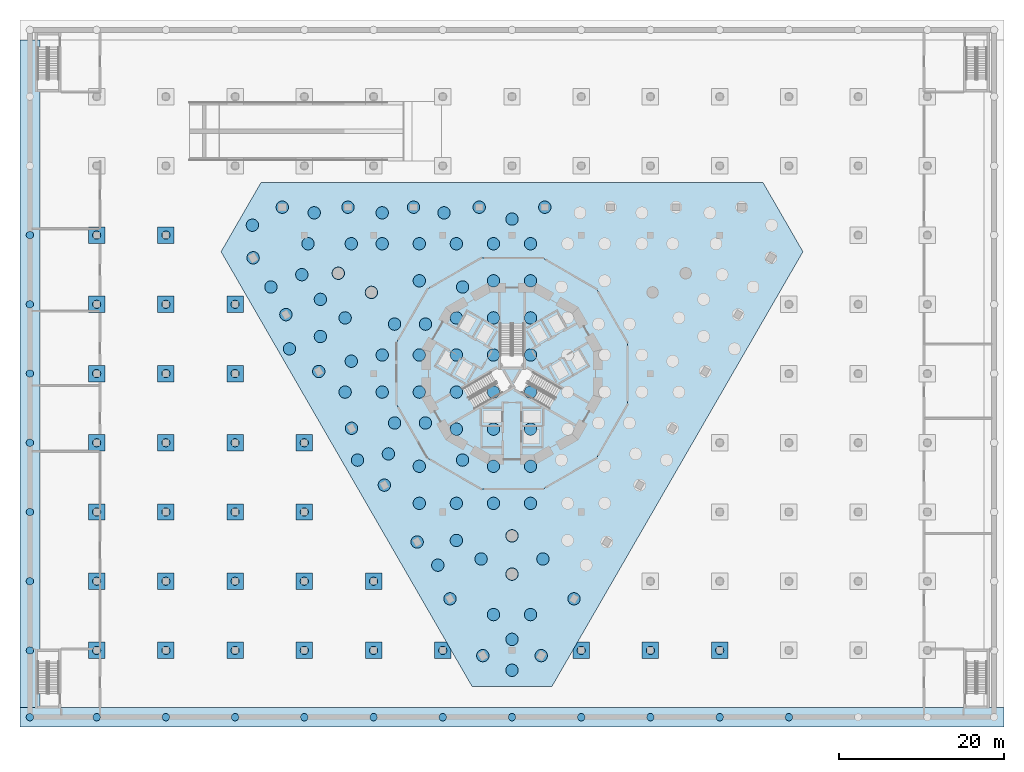
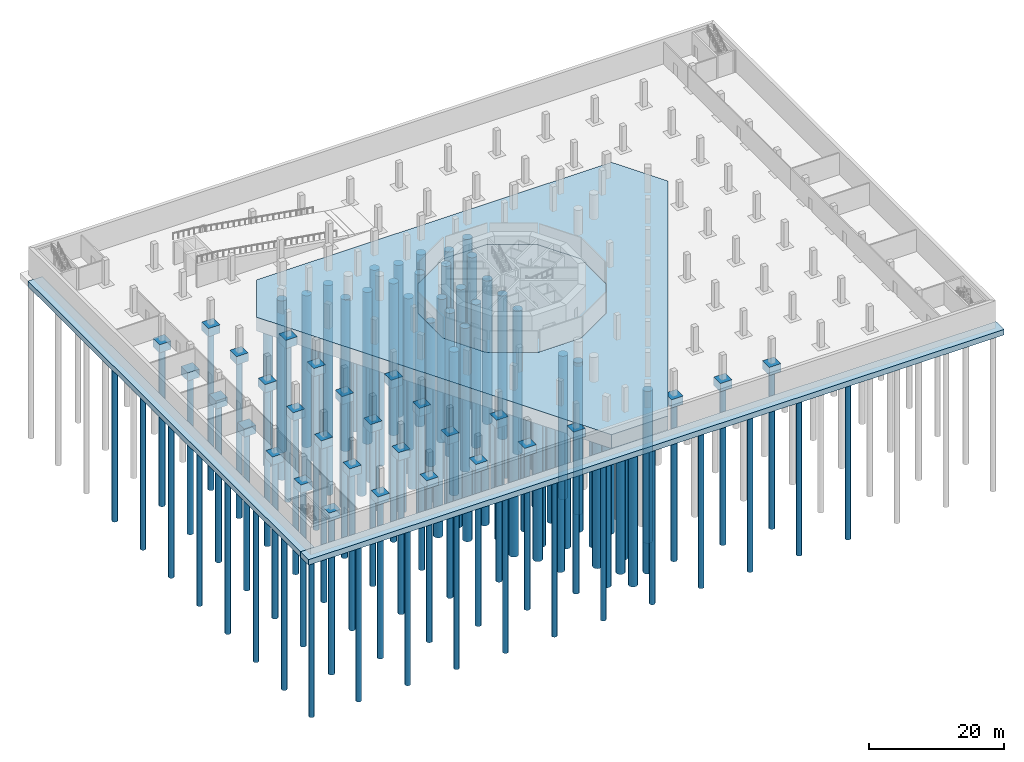
# One storey, part 1 of 23: 130 piles, 34 footings.
"""IFC4 building model written with IfcOpenShell, lengths in metres."""

from ifc_helpers import new_model, si_unit, direction, frame, origin, origin_2d, place, context, subcontext, project, spatial, polyline, circle, outline, extrude, material, layer, layer_set, type_object, element, save


model = new_model("IFC4")

# Units and contexts
model_context = context("Model", 3, precision=1e-05, world=origin(), true_north=direction((0.0, 1.0)))
body_context = subcontext(model_context, "Body", "Model", "MODEL_VIEW")
ifc_project = project(units=[si_unit("LENGTHUNIT", "METRE"), si_unit("AREAUNIT", "SQUARE_METRE"), si_unit("VOLUMEUNIT", "CUBIC_METRE"), si_unit("PLANEANGLEUNIT", "RADIAN"), si_unit("MASSUNIT", "GRAM", prefix="KILO")], contexts=[model_context])

# Site, building, storey
site_placement = place(None, origin())
site = spatial("IfcSite", under=ifc_project, at=site_placement, CompositionType="ELEMENT")
building_placement = place(site_placement, origin())
building = spatial("IfcBuilding", under=site, at=building_placement, Name="Trine Commons Tower", CompositionType="ELEMENT")
storey_placement = place(building_placement, frame((0.0, 0.0, -9.0)))
storey = spatial("IfcBuildingStorey", under=building, at=storey_placement, Name="B2", CompositionType="ELEMENT", Elevation=-9.0)

# Piles
ifc_material_1 = material(Name="Concrete C40/50", Category="concrete")
pile_type_1 = type_object("IfcPileType", Name="Bored pile 1000 mm, C40/50", PredefinedType="BORED", material=ifc_material_1)
for number, where, z_axis, x_axis, name in (
    (1, (29.60009765625, 28.89990234375, -1.425048828125), (0.0, 0.0, -1.0), (1.0, 0.0, 0.0), "Pile 132"),
    (2, (38.0, 28.89990234375, -1.425048828125), (0.0, 0.0, -1.0), (1.0, 0.0, 0.0), "Pile 133"),
    (3, (46.39990234375, 28.89990234375, -1.425048828125), (0.0, 0.0, -1.0), (1.0, 0.0, 0.0), "Pile 134"),
    (4, (54.800048828125, 28.89990234375, -1.425048828125), (0.0, 0.0, -1.0), (1.0, 0.0, 0.0), "Pile 135"),
    (5, (63.199951171875, 28.89990234375, -1.425048828125), (0.0, 0.0, -1.0), (1.0, 0.0, 0.0), "Pile 136"),
    (6, (71.60009765625, 28.89990234375, -1.425048828125), (0.0, 0.0, -1.0), (1.0, 0.0, 0.0), "Pile 137"),
    (7, (88.39990234375, 28.89990234375, -1.425048828125), (0.0, 0.0, -1.0), (1.0, 0.0, 0.0), "Pile 138"),
    (8, (96.800048828125, 28.89990234375, -1.425048828125), (0.0, 0.0, -1.0), (1.0, 0.0, 0.0), "Pile 139"),
    (9, (105.199951171875, 28.89990234375, -1.425048828125), (0.0, 0.0, -1.0), (1.0, 0.0, 0.0), "Pile 140"),
    (10, (29.60009765625, 37.300048828125, -1.425048828125), (0.0, 0.0, -1.0), (1.0, 0.0, 0.0), "Pile 144"),
    (11, (38.0, 37.300048828125, -1.425048828125), (0.0, 0.0, -1.0), (1.0, 0.0, 0.0), "Pile 145"),
    (12, (46.39990234375, 37.300048828125, -1.425048828125), (0.0, 0.0, -1.0), (1.0, 0.0, 0.0), "Pile 146"),
    (13, (54.800048828125, 37.300048828125, -1.425048828125), (0.0, 0.0, -1.0), (1.0, 0.0, 0.0), "Pile 147"),
    (14, (63.199951171875, 37.300048828125, -1.425048828125), (0.0, 0.0, -1.0), (1.0, 0.0, 0.0), "Pile 148"),
    (15, (29.60009765625, 45.699951171875, -1.425048828125), (0.0, 0.0, -1.0), (1.0, 0.0, 0.0), "Pile 154"),
    (16, (38.0, 45.699951171875, -1.425048828125), (0.0, 0.0, -1.0), (1.0, 0.0, 0.0), "Pile 155"),
    (17, (46.39990234375, 45.699951171875, -1.425048828125), (0.0, 0.0, -1.0), (1.0, 0.0, 0.0), "Pile 156"),
    (18, (54.800048828125, 45.699951171875, -1.425048828125), (0.0, 0.0, -1.0), (1.0, 0.0, 0.0), "Pile 157"),
    (19, (29.60009765625, 54.10009765625, -1.425048828125), (0.0, 0.0, -1.0), (1.0, 0.0, 0.0), "Pile 162"),
    (20, (38.0, 54.10009765625, -1.425048828125), (0.0, 0.0, -1.0), (1.0, 0.0, 0.0), "Pile 163"),
    (21, (46.39990234375, 54.10009765625, -1.425048828125), (0.0, 0.0, -1.0), (1.0, 0.0, 0.0), "Pile 164"),
    (22, (54.800048828125, 54.10009765625, -1.425048828125), (0.0, 0.0, -1.0), (1.0, 0.0, 0.0), "Pile 165"),
    (23, (29.60009765625, 62.5, -1.425048828125), (0.0, 0.0, -1.0), (1.0, 0.0, 0.0), "Pile 170"),
    (24, (38.0, 62.5, -1.425048828125), (0.0, 0.0, -1.0), (1.0, 0.0, 0.0), "Pile 171"),
    (25, (46.39990234375, 62.5, -1.425048828125), (0.0, 0.0, -1.0), (1.0, 0.0, 0.0), "Pile 172"),
    (26, (29.60009765625, 70.89990234375, -1.425048828125), (0.0, 0.0, -1.0), (1.0, 0.0, 0.0), "Pile 176"),
    (27, (38.0, 70.89990234375, -1.425048828125), (0.0, 0.0, -1.0), (1.0, 0.0, 0.0), "Pile 177"),
    (28, (46.39990234375, 70.89990234375, -1.425048828125), (0.0, 0.0, -1.0), (1.0, 0.0, 0.0), "Pile 178"),
    (29, (29.60009765625, 79.300048828125, -1.425048828125), (0.0, 0.0, -1.0), (1.0, 0.0, 0.0), "Pile 182"),
    (30, (38.0, 79.300048828125, -1.425048828125), (0.0, 0.0, -1.0), (1.0, 0.0, 0.0), "Pile 183"),
):
    element("IfcPile", number, at=place(storey_placement, frame(where, z_axis=z_axis, x_axis=x_axis)), inside=storey, type_object=pile_type_1, Name=name, PredefinedType="BORED", context=body_context, shape_type="SweptSolid", body=[
        extrude(circle(Radius=0.5, at=origin_2d()), origin(), (0.0, 0.0, 1.0), 28.574951171875),
    ])
pile_type_2 = type_object("IfcPileType", Name="Bored pile 1500 mm, C40/50", PredefinedType="BORED", material=ifc_material_1)
for number, where, z_axis, x_axis, name in (
    (31, (77.75, 51.25, -3.925048828125), (0.0, 0.0, -1.0), (1.0, 0.0, 0.0), "Pile 001"),
    (32, (82.25, 51.25, -3.925048828125), (0.0, 0.0, -1.0), (1.0, 0.0, 0.0), "Pile 002"),
    (33, (74.0, 52.0, -3.925048828125), (0.0, 0.0, -1.0), (1.0, 0.0, 0.0), "Pile 003"),
    (34, (73.25, 55.75, -3.925048828125), (0.0, 0.0, -1.0), (1.0, 0.0, 0.0), "Pile 005"),
    (35, (77.75, 55.75, -3.925048828125), (0.0, 0.0, -1.0), (1.0, 0.0, 0.0), "Pile 006"),
    (36, (82.25, 55.75, -3.925048828125), (0.0, 0.0, -1.0), (1.0, 0.0, 0.0), "Pile 007"),
    (37, (69.5, 56.5, -3.925048828125), (0.0, 0.0, -1.0), (1.0, 0.0, 0.0), "Pile 009"),
    (38, (68.75, 60.25, -3.925048828125), (0.0, 0.0, -1.0), (1.0, 0.0, 0.0), "Pile 011"),
    (39, (73.25, 60.25, -3.925048828125), (0.0, 0.0, -1.0), (1.0, 0.0, 0.0), "Pile 012"),
    (40, (77.75, 60.25, -3.925048828125), (0.0, 0.0, -1.0), (1.0, 0.0, 0.0), "Pile 013"),
    (41, (82.25, 60.25, -3.925048828125), (0.0, 0.0, -1.0), (1.0, 0.0, 0.0), "Pile 014"),
    (42, (68.75, 64.75, -3.925048828125), (0.0, 0.0, -1.0), (1.0, 0.0, 0.0), "Pile 017"),
    (43, (73.25, 64.75, -3.925048828125), (0.0, 0.0, -1.0), (1.0, 0.0, 0.0), "Pile 018"),
    (44, (77.75, 64.75, -3.925048828125), (0.0, 0.0, -1.0), (1.0, 0.0, 0.0), "Pile 019"),
    (45, (82.25, 64.75, -3.925048828125), (0.0, 0.0, -1.0), (1.0, 0.0, 0.0), "Pile 020"),
    (46, (69.5, 68.5, -3.925048828125), (0.0, 0.0, -1.0), (1.0, 0.0, 0.0), "Pile 023"),
    (47, (73.25, 69.25, -3.925048828125), (0.0, 0.0, -1.0), (1.0, 0.0, 0.0), "Pile 025"),
    (48, (77.75, 69.25, -3.925048828125), (0.0, 0.0, -1.0), (1.0, 0.0, 0.0), "Pile 026"),
    (49, (82.25, 69.25, -3.925048828125), (0.0, 0.0, -1.0), (1.0, 0.0, 0.0), "Pile 027"),
    (50, (74.0, 73.0, -3.925048828125), (0.0, 0.0, -1.0), (1.0, 0.0, 0.0), "Pile 029"),
    (51, (77.75, 73.75, -3.925048828125), (0.0, 0.0, -1.0), (1.0, 0.0, 0.0), "Pile 031"),
    (52, (82.25, 73.75, -3.925048828125), (0.0, 0.0, -1.0), (1.0, 0.0, 0.0), "Pile 032"),
):
    element("IfcPile", number, at=place(storey_placement, frame(where, z_axis=z_axis, x_axis=x_axis)), inside=storey, type_object=pile_type_2, Name=name, PredefinedType="BORED", context=body_context, shape_type="SweptSolid", body=[
        extrude(circle(Radius=0.75, at=origin_2d()), origin(), (0.0, 0.0, 1.0), 26.074951171875),
    ])
for number, where, z_axis, x_axis, name in (
    (53, (80.0, 26.5, -2.425048828125), (0.0, 0.0, -1.0), (1.0, 0.0, 0.0), "Pile 033"),
    (54, (76.45556640625, 28.27001953125, -2.425048828125), (0.0, 0.0, -1.0), (1.0, 0.0, 0.0), "Pile 034"),
    (55, (83.54443359375, 28.27001953125, -2.425048828125), (0.0, 0.0, -1.0), (1.0, 0.0, 0.0), "Pile 035"),
    (56, (80.0, 30.25, -2.425048828125), (0.0, 0.0, -1.0), (1.0, 0.0, 0.0), "Pile 036"),
    (57, (77.75, 33.25, -2.425048828125), (0.0, 0.0, -1.0), (1.0, 0.0, 0.0), "Pile 037"),
    (58, (82.25, 33.25, -2.425048828125), (0.0, 0.0, -1.0), (1.0, 0.0, 0.0), "Pile 038"),
    (59, (72.473876953125, 35.16650390625, -2.425048828125), (0.0, 0.0, -1.0), (1.0, 0.0, 0.0), "Pile 039"),
    (60, (87.526123046875, 35.16650390625, -2.425048828125), (0.0, 0.0, -1.0), (1.0, 0.0, 0.0), "Pile 040"),
    (61, (80.0, 38.162109375, -2.425048828125), (0.0, 0.0, -1.0), (1.0, 0.0, 0.0), "Pile 041"),
    (62, (71.0, 39.25, -2.425048828125), (0.0, 0.0, -1.0), (1.0, 0.0, 0.0), "Pile 042"),
    (63, (76.25, 40.0, -2.425048828125), (0.0, 0.0, -1.0), (1.0, 0.0, 0.0), "Pile 044"),
    (64, (83.75, 40.0, -2.425048828125), (0.0, 0.0, -1.0), (1.0, 0.0, 0.0), "Pile 045"),
    (65, (68.4921875, 42.06298828125, -2.425048828125), (0.0, 0.0, -1.0), (1.0, 0.0, 0.0), "Pile 046"),
    (66, (73.25, 42.25, -2.425048828125), (0.0, 0.0, -1.0), (1.0, 0.0, 0.0), "Pile 048"),
    (67, (80.0, 42.802978515625, -2.425048828125), (0.0, 0.0, -1.0), (1.0, 0.0, 0.0), "Pile 050"),
    (68, (68.75, 46.75, -2.425048828125), (0.0, 0.0, -1.0), (1.0, 0.0, 0.0), "Pile 051"),
    (69, (73.25, 46.75, -2.425048828125), (0.0, 0.0, -1.0), (1.0, 0.0, 0.0), "Pile 052"),
    (70, (77.75, 46.75, -2.425048828125), (0.0, 0.0, -1.0), (1.0, 0.0, 0.0), "Pile 053"),
    (71, (82.25, 46.75, -2.425048828125), (0.0, 0.0, -1.0), (1.0, 0.0, 0.0), "Pile 054"),
    (72, (64.510498046875, 48.95947265625, -2.425048828125), (0.0, 0.0, -1.0), (1.0, 0.0, 0.0), "Pile 057"),
    (73, (68.75, 51.25, -2.425048828125), (0.0, 0.0, -1.0), (1.0, 0.0, 0.0), "Pile 059"),
    (74, (61.25, 52.0, -2.425048828125), (0.0, 0.0, -1.0), (1.0, 0.0, 0.0), "Pile 061"),
    (75, (65.0, 52.75, -2.425048828125), (0.0, 0.0, -1.0), (1.0, 0.0, 0.0), "Pile 063"),
    (76, (60.52880859375, 55.85595703125, -2.425048828125), (0.0, 0.0, -1.0), (1.0, 0.0, 0.0), "Pile 065"),
    (77, (65.75, 56.5, -2.425048828125), (0.0, 0.0, -1.0), (1.0, 0.0, 0.0), "Pile 067"),
    (78, (59.75, 60.25, -2.425048828125), (0.0, 0.0, -1.0), (1.0, 0.0, 0.0), "Pile 069"),
    (79, (64.25, 60.25, -2.425048828125), (0.0, 0.0, -1.0), (1.0, 0.0, 0.0), "Pile 070"),
    (80, (56.547119140625, 62.75244140625, -2.425048828125), (0.0, 0.0, -1.0), (1.0, 0.0, 0.0), "Pile 073"),
    (81, (60.5, 64.0, -2.425048828125), (0.0, 0.0, -1.0), (1.0, 0.0, 0.0), "Pile 075"),
    (82, (64.25, 64.75, -2.425048828125), (0.0, 0.0, -1.0), (1.0, 0.0, 0.0), "Pile 077"),
    (83, (53.0, 65.5, -2.425048828125), (0.0, 0.0, -1.0), (1.0, 0.0, 0.0), "Pile 079"),
    (84, (56.75, 67.0, -2.425048828125), (0.0, 0.0, -1.0), (1.0, 0.0, 0.0), "Pile 081"),
    (85, (65.75, 68.5, -2.425048828125), (0.0, 0.0, -1.0), (1.0, 0.0, 0.0), "Pile 083"),
    (86, (59.75, 69.25, -2.425048828125), (0.0, 0.0, -1.0), (1.0, 0.0, 0.0), "Pile 085"),
    (87, (52.5654296875, 69.64892578125, -2.425048828125), (0.0, 0.0, -1.0), (1.0, 0.0, 0.0), "Pile 087"),
    (88, (56.75, 71.5, -2.425048828125), (0.0, 0.0, -1.0), (1.0, 0.0, 0.0), "Pile 089"),
    (89, (62.94189453125, 72.348388671875, -2.425048828125), (0.0, 0.0, -1.0), (1.0, 0.0, 0.0), "Pile 091"),
    (90, (50.75, 73.0, -2.425048828125), (0.0, 0.0, -1.0), (1.0, 0.0, 0.0), "Pile 093"),
    (91, (68.75, 73.75, -2.425048828125), (0.0, 0.0, -1.0), (1.0, 0.0, 0.0), "Pile 095"),
    (92, (54.5, 74.5, -2.425048828125), (0.0, 0.0, -1.0), (1.0, 0.0, 0.0), "Pile 097"),
    (93, (58.9228515625, 74.6689453125, -2.425048828125), (0.0, 0.0, -1.0), (1.0, 0.0, 0.0), "Pile 099"),
    (94, (48.583740234375, 76.54541015625, -2.425048828125), (0.0, 0.0, -1.0), (1.0, 0.0, 0.0), "Pile 101"),
    (95, (55.25, 78.25, -2.425048828125), (0.0, 0.0, -1.0), (1.0, 0.0, 0.0), "Pile 103"),
    (96, (60.5, 78.25, -2.425048828125), (0.0, 0.0, -1.0), (1.0, 0.0, 0.0), "Pile 104"),
    (97, (64.25, 78.25, -2.425048828125), (0.0, 0.0, -1.0), (1.0, 0.0, 0.0), "Pile 105"),
    (98, (68.75, 78.25, -2.425048828125), (0.0, 0.0, -1.0), (1.0, 0.0, 0.0), "Pile 106"),
    (99, (73.25, 78.25, -2.425048828125), (0.0, 0.0, -1.0), (1.0, 0.0, 0.0), "Pile 107"),
    (100, (77.75, 78.25, -2.425048828125), (0.0, 0.0, -1.0), (1.0, 0.0, 0.0), "Pile 108"),
    (101, (82.25, 78.25, -2.425048828125), (0.0, 0.0, -1.0), (1.0, 0.0, 0.0), "Pile 109"),
    (102, (48.5, 80.5, -2.425048828125), (0.0, 0.0, -1.0), (1.0, 0.0, 0.0), "Pile 115"),
    (103, (80.0, 81.25, -2.425048828125), (0.0, 0.0, -1.0), (1.0, 0.0, 0.0), "Pile 117"),
    (104, (56.0, 82.0, -2.425048828125), (0.0, 0.0, -1.0), (1.0, 0.0, 0.0), "Pile 118"),
    (105, (64.25, 82.0, -2.425048828125), (0.0, 0.0, -1.0), (1.0, 0.0, 0.0), "Pile 119"),
    (106, (71.75, 82.0, -2.425048828125), (0.0, 0.0, -1.0), (1.0, 0.0, 0.0), "Pile 120"),
    (107, (52.128173828125, 82.6845703125, -2.425048828125), (0.0, 0.0, -1.0), (1.0, 0.0, 0.0), "Pile 124"),
    (108, (60.091552734375, 82.6845703125, -2.425048828125), (0.0, 0.0, -1.0), (1.0, 0.0, 0.0), "Pile 125"),
    (109, (68.054931640625, 82.6845703125, -2.425048828125), (0.0, 0.0, -1.0), (1.0, 0.0, 0.0), "Pile 126"),
    (110, (76.018310546875, 82.6845703125, -2.425048828125), (0.0, 0.0, -1.0), (1.0, 0.0, 0.0), "Pile 127"),
    (111, (83.981689453125, 82.6845703125, -2.425048828125), (0.0, 0.0, -1.0), (1.0, 0.0, 0.0), "Pile 128"),
):
    element("IfcPile", number, at=place(storey_placement, frame(where, z_axis=z_axis, x_axis=x_axis)), inside=storey, type_object=pile_type_2, Name=name, PredefinedType="BORED", context=body_context, shape_type="SweptSolid", body=[
        extrude(circle(Radius=0.75, at=origin_2d()), origin(), (0.0, 0.0, 1.0), 27.574951171875),
    ])
pile_type_3 = type_object("IfcPileType", Name="Bored pile 900 mm, C40/50", PredefinedType="BORED", material=ifc_material_1)
for number, where, z_axis, x_axis, name in (
    (112, (21.5, 20.800048828125, -1.425048828125), (0.0, 0.0, -1.0), (1.0, 0.0, 0.0), "Pile 212"),
    (113, (29.60009765625, 20.800048828125, -1.425048828125), (0.0, 0.0, -1.0), (1.0, 0.0, 0.0), "Pile 213"),
    (114, (38.0, 20.800048828125, -1.425048828125), (0.0, 0.0, -1.0), (1.0, 0.0, 0.0), "Pile 214"),
    (115, (46.39990234375, 20.800048828125, -1.425048828125), (0.0, 0.0, -1.0), (1.0, 0.0, 0.0), "Pile 215"),
    (116, (54.800048828125, 20.800048828125, -1.425048828125), (0.0, 0.0, -1.0), (1.0, 0.0, 0.0), "Pile 216"),
    (117, (63.199951171875, 20.800048828125, -1.425048828125), (0.0, 0.0, -1.0), (1.0, 0.0, 0.0), "Pile 217"),
    (118, (71.60009765625, 20.800048828125, -1.425048828125), (0.0, 0.0, -1.0), (1.0, 0.0, 0.0), "Pile 218"),
    (119, (80.0, 20.800048828125, -1.425048828125), (0.0, 0.0, -1.0), (1.0, 0.0, 0.0), "Pile 219"),
    (120, (88.39990234375, 20.800048828125, -1.425048828125), (0.0, 0.0, -1.0), (1.0, 0.0, 0.0), "Pile 220"),
    (121, (96.800048828125, 20.800048828125, -1.425048828125), (0.0, 0.0, -1.0), (1.0, 0.0, 0.0), "Pile 221"),
    (122, (105.199951171875, 20.800048828125, -1.425048828125), (0.0, 0.0, -1.0), (1.0, 0.0, 0.0), "Pile 222"),
    (123, (113.60009765625, 20.800048828125, -1.425048828125), (0.0, 0.0, -1.0), (1.0, 0.0, 0.0), "Pile 223"),
    (124, (21.5, 28.89990234375, -1.425048828125), (0.0, 0.0, -1.0), (1.0, 0.0, 0.0), "Pile 227"),
    (125, (21.5, 37.300048828125, -1.425048828125), (0.0, 0.0, -1.0), (1.0, 0.0, 0.0), "Pile 229"),
    (126, (21.5, 45.699951171875, -1.425048828125), (0.0, 0.0, -1.0), (1.0, 0.0, 0.0), "Pile 231"),
    (127, (21.5, 54.10009765625, -1.425048828125), (0.0, 0.0, -1.0), (1.0, 0.0, 0.0), "Pile 233"),
    (128, (21.5, 62.5, -1.425048828125), (0.0, 0.0, -1.0), (1.0, 0.0, 0.0), "Pile 235"),
    (129, (21.5, 70.89990234375, -1.425048828125), (0.0, 0.0, -1.0), (1.0, 0.0, 0.0), "Pile 237"),
    (130, (21.5, 79.300048828125, -1.425048828125), (0.0, 0.0, -1.0), (1.0, 0.0, 0.0), "Pile 239"),
):
    element("IfcPile", number, at=place(storey_placement, frame(where, z_axis=z_axis, x_axis=x_axis)), inside=storey, type_object=pile_type_3, Name=name, PredefinedType="BORED", context=body_context, shape_type="SweptSolid", body=[
        extrude(circle(Radius=0.449951171875, at=origin_2d()), origin(), (0.0, 0.0, 1.0), 28.574951171875),
    ])

# Footings
ifc_material_2 = material(Name="Concrete C50/60", Category="concrete")
ifc_layer_1 = layer(ifc_material_2, 1.5)
ifc_layer_set_1 = layer_set([ifc_layer_1], Name="Concrete C50/60")
footing_type_1 = type_object("IfcFootingType", Name="Pile cap 1500 mm, C50/60", PredefinedType="PILE_CAP", material=ifc_layer_set_1)
footing_1_placement = place(storey_placement, frame((0.0, 0.0, -1.5)))
element("IfcFooting", 131, at=footing_1_placement, inside=storey, type_object=footing_type_1, Name="Pile cap BC-01", PredefinedType="PILE_CAP", context=body_context, shape_type="SweptSolid", body=[
    extrude(outline(polyline([(28.60009765625, 27.89990234375), (28.60009765625, 29.89990234375), (30.60009765625, 29.89990234375), (30.60009765625, 27.89990234375), (28.60009765625, 27.89990234375)])), origin(), (0.0, 0.0, 1.0), 1.5),
])
footing_2_placement = place(storey_placement, frame((0.0, 0.0, -1.5)))
element("IfcFooting", 132, at=footing_2_placement, inside=storey, type_object=footing_type_1, Name="Pile cap BC-02", PredefinedType="PILE_CAP", context=body_context, shape_type="SweptSolid", body=[
    extrude(outline(polyline([(37.0, 27.89990234375), (37.0, 29.89990234375), (39.0, 29.89990234375), (39.0, 27.89990234375), (37.0, 27.89990234375)])), origin(), (0.0, 0.0, 1.0), 1.5),
])
footing_3_placement = place(storey_placement, frame((0.0, 0.0, -1.5)))
element("IfcFooting", 133, at=footing_3_placement, inside=storey, type_object=footing_type_1, Name="Pile cap BC-03", PredefinedType="PILE_CAP", context=body_context, shape_type="SweptSolid", body=[
    extrude(outline(polyline([(45.39990234375, 27.89990234375), (45.39990234375, 29.89990234375), (47.39990234375, 29.89990234375), (47.39990234375, 27.89990234375), (45.39990234375, 27.89990234375)])), origin(), (0.0, 0.0, 1.0), 1.5),
])
footing_4_placement = place(storey_placement, frame((0.0, 0.0, -1.5)))
element("IfcFooting", 134, at=footing_4_placement, inside=storey, type_object=footing_type_1, Name="Pile cap BC-04", PredefinedType="PILE_CAP", context=body_context, shape_type="SweptSolid", body=[
    extrude(outline(polyline([(53.800048828125, 27.89990234375), (53.800048828125, 29.89990234375), (55.800048828125, 29.89990234375), (55.800048828125, 27.89990234375), (53.800048828125, 27.89990234375)])), origin(), (0.0, 0.0, 1.0), 1.5),
])
footing_5_placement = place(storey_placement, frame((0.0, 0.0, -1.5)))
element("IfcFooting", 135, at=footing_5_placement, inside=storey, type_object=footing_type_1, Name="Pile cap BC-05", PredefinedType="PILE_CAP", context=body_context, shape_type="SweptSolid", body=[
    extrude(outline(polyline([(62.199951171875, 27.89990234375), (62.199951171875, 29.89990234375), (64.199951171875, 29.89990234375), (64.199951171875, 27.89990234375), (62.199951171875, 27.89990234375)])), origin(), (0.0, 0.0, 1.0), 1.5),
])
footing_6_placement = place(storey_placement, frame((0.0, 0.0, -1.5)))
element("IfcFooting", 136, at=footing_6_placement, inside=storey, type_object=footing_type_1, Name="Pile cap BC-06", PredefinedType="PILE_CAP", context=body_context, shape_type="SweptSolid", body=[
    extrude(outline(polyline([(72.60009765625, 27.89990234375), (70.60009765625, 27.89990234375), (70.60009765625, 29.89990234375), (72.05029296875, 29.89990234375), (72.60009765625, 28.947998046875), (72.60009765625, 27.89990234375)])), origin(), (0.0, 0.0, 1.0), 1.5),
])
footing_7_placement = place(storey_placement, frame((0.0, 0.0, -1.5)))
element("IfcFooting", 137, at=footing_7_placement, inside=storey, type_object=footing_type_1, Name="Pile cap BC-08", PredefinedType="PILE_CAP", context=body_context, shape_type="SweptSolid", body=[
    extrude(outline(polyline([(89.39990234375, 29.89990234375), (89.39990234375, 27.89990234375), (87.39990234375, 27.89990234375), (87.39990234375, 28.947998046875), (87.94970703125, 29.89990234375), (89.39990234375, 29.89990234375)])), origin(), (0.0, 0.0, 1.0), 1.5),
])
footing_8_placement = place(storey_placement, frame((0.0, 0.0, -1.5)))
element("IfcFooting", 138, at=footing_8_placement, inside=storey, type_object=footing_type_1, Name="Pile cap BC-09", PredefinedType="PILE_CAP", context=body_context, shape_type="SweptSolid", body=[
    extrude(outline(polyline([(95.800048828125, 27.89990234375), (95.800048828125, 29.89990234375), (97.800048828125, 29.89990234375), (97.800048828125, 27.89990234375), (95.800048828125, 27.89990234375)])), origin(), (0.0, 0.0, 1.0), 1.5),
])
footing_9_placement = place(storey_placement, frame((0.0, 0.0, -1.5)))
element("IfcFooting", 139, at=footing_9_placement, inside=storey, type_object=footing_type_1, Name="Pile cap BC-10", PredefinedType="PILE_CAP", context=body_context, shape_type="SweptSolid", body=[
    extrude(outline(polyline([(104.199951171875, 27.89990234375), (104.199951171875, 29.89990234375), (106.199951171875, 29.89990234375), (106.199951171875, 27.89990234375), (104.199951171875, 27.89990234375)])), origin(), (0.0, 0.0, 1.0), 1.5),
])
footing_10_placement = place(storey_placement, frame((0.0, 0.0, -1.5)))
element("IfcFooting", 140, at=footing_10_placement, inside=storey, type_object=footing_type_1, Name="Pile cap BC-14", PredefinedType="PILE_CAP", context=body_context, shape_type="SweptSolid", body=[
    extrude(outline(polyline([(28.60009765625, 36.300048828125), (28.60009765625, 38.300048828125), (30.60009765625, 38.300048828125), (30.60009765625, 36.300048828125), (28.60009765625, 36.300048828125)])), origin(), (0.0, 0.0, 1.0), 1.5),
])
footing_11_placement = place(storey_placement, frame((0.0, 0.0, -1.5)))
element("IfcFooting", 141, at=footing_11_placement, inside=storey, type_object=footing_type_1, Name="Pile cap BC-15", PredefinedType="PILE_CAP", context=body_context, shape_type="SweptSolid", body=[
    extrude(outline(polyline([(37.0, 36.300048828125), (37.0, 38.300048828125), (39.0, 38.300048828125), (39.0, 36.300048828125), (37.0, 36.300048828125)])), origin(), (0.0, 0.0, 1.0), 1.5),
])
footing_12_placement = place(storey_placement, frame((0.0, 0.0, -1.5)))
element("IfcFooting", 142, at=footing_12_placement, inside=storey, type_object=footing_type_1, Name="Pile cap BC-16", PredefinedType="PILE_CAP", context=body_context, shape_type="SweptSolid", body=[
    extrude(outline(polyline([(45.39990234375, 36.300048828125), (45.39990234375, 38.300048828125), (47.39990234375, 38.300048828125), (47.39990234375, 36.300048828125), (45.39990234375, 36.300048828125)])), origin(), (0.0, 0.0, 1.0), 1.5),
])
footing_13_placement = place(storey_placement, frame((0.0, 0.0, -1.5)))
element("IfcFooting", 143, at=footing_13_placement, inside=storey, type_object=footing_type_1, Name="Pile cap BC-17", PredefinedType="PILE_CAP", context=body_context, shape_type="SweptSolid", body=[
    extrude(outline(polyline([(53.800048828125, 36.300048828125), (53.800048828125, 38.300048828125), (55.800048828125, 38.300048828125), (55.800048828125, 36.300048828125), (53.800048828125, 36.300048828125)])), origin(), (0.0, 0.0, 1.0), 1.5),
])
footing_14_placement = place(storey_placement, frame((0.0, 0.0, -1.5)))
element("IfcFooting", 144, at=footing_14_placement, inside=storey, type_object=footing_type_1, Name="Pile cap BC-18", PredefinedType="PILE_CAP", context=body_context, shape_type="SweptSolid", body=[
    extrude(outline(polyline([(62.199951171875, 36.300048828125), (62.199951171875, 38.300048828125), (64.199951171875, 38.300048828125), (64.199951171875, 36.300048828125), (62.199951171875, 36.300048828125)])), origin(), (0.0, 0.0, 1.0), 1.5),
])
footing_15_placement = place(storey_placement, frame((0.0, 0.0, -1.5)))
element("IfcFooting", 145, at=footing_15_placement, inside=storey, type_object=footing_type_1, Name="Pile cap BC-24", PredefinedType="PILE_CAP", context=body_context, shape_type="SweptSolid", body=[
    extrude(outline(polyline([(28.60009765625, 44.699951171875), (28.60009765625, 46.699951171875), (30.60009765625, 46.699951171875), (30.60009765625, 44.699951171875), (28.60009765625, 44.699951171875)])), origin(), (0.0, 0.0, 1.0), 1.5),
])
footing_16_placement = place(storey_placement, frame((0.0, 0.0, -1.5)))
element("IfcFooting", 146, at=footing_16_placement, inside=storey, type_object=footing_type_1, Name="Pile cap BC-25", PredefinedType="PILE_CAP", context=body_context, shape_type="SweptSolid", body=[
    extrude(outline(polyline([(37.0, 44.699951171875), (37.0, 46.699951171875), (39.0, 46.699951171875), (39.0, 44.699951171875), (37.0, 44.699951171875)])), origin(), (0.0, 0.0, 1.0), 1.5),
])
footing_17_placement = place(storey_placement, frame((0.0, 0.0, -1.5)))
element("IfcFooting", 147, at=footing_17_placement, inside=storey, type_object=footing_type_1, Name="Pile cap BC-26", PredefinedType="PILE_CAP", context=body_context, shape_type="SweptSolid", body=[
    extrude(outline(polyline([(45.39990234375, 44.699951171875), (45.39990234375, 46.699951171875), (47.39990234375, 46.699951171875), (47.39990234375, 44.699951171875), (45.39990234375, 44.699951171875)])), origin(), (0.0, 0.0, 1.0), 1.5),
])
footing_18_placement = place(storey_placement, frame((0.0, 0.0, -1.5)))
element("IfcFooting", 148, at=footing_18_placement, inside=storey, type_object=footing_type_1, Name="Pile cap BC-27", PredefinedType="PILE_CAP", context=body_context, shape_type="SweptSolid", body=[
    extrude(outline(polyline([(53.800048828125, 44.699951171875), (53.800048828125, 46.699951171875), (55.800048828125, 46.699951171875), (55.800048828125, 44.699951171875), (53.800048828125, 44.699951171875)])), origin(), (0.0, 0.0, 1.0), 1.5),
])
footing_19_placement = place(storey_placement, frame((0.0, 0.0, -1.5)))
element("IfcFooting", 149, at=footing_19_placement, inside=storey, type_object=footing_type_1, Name="Pile cap BC-34", PredefinedType="PILE_CAP", context=body_context, shape_type="SweptSolid", body=[
    extrude(outline(polyline([(28.60009765625, 53.10009765625), (28.60009765625, 55.10009765625), (30.60009765625, 55.10009765625), (30.60009765625, 53.10009765625), (28.60009765625, 53.10009765625)])), origin(), (0.0, 0.0, 1.0), 1.5),
])
footing_20_placement = place(storey_placement, frame((0.0, 0.0, -1.5)))
element("IfcFooting", 150, at=footing_20_placement, inside=storey, type_object=footing_type_1, Name="Pile cap BC-35", PredefinedType="PILE_CAP", context=body_context, shape_type="SweptSolid", body=[
    extrude(outline(polyline([(37.0, 53.10009765625), (37.0, 55.10009765625), (39.0, 55.10009765625), (39.0, 53.10009765625), (37.0, 53.10009765625)])), origin(), (0.0, 0.0, 1.0), 1.5),
])
footing_21_placement = place(storey_placement, frame((0.0, 0.0, -1.5)))
element("IfcFooting", 151, at=footing_21_placement, inside=storey, type_object=footing_type_1, Name="Pile cap BC-36", PredefinedType="PILE_CAP", context=body_context, shape_type="SweptSolid", body=[
    extrude(outline(polyline([(45.39990234375, 53.10009765625), (45.39990234375, 55.10009765625), (47.39990234375, 55.10009765625), (47.39990234375, 53.10009765625), (45.39990234375, 53.10009765625)])), origin(), (0.0, 0.0, 1.0), 1.5),
])
footing_22_placement = place(storey_placement, frame((0.0, 0.0, -1.5)))
element("IfcFooting", 152, at=footing_22_placement, inside=storey, type_object=footing_type_1, Name="Pile cap BC-37", PredefinedType="PILE_CAP", context=body_context, shape_type="SweptSolid", body=[
    extrude(outline(polyline([(53.800048828125, 53.10009765625), (53.800048828125, 55.10009765625), (55.800048828125, 55.10009765625), (55.800048828125, 53.10009765625), (53.800048828125, 53.10009765625)])), origin(), (0.0, 0.0, 1.0), 1.5),
])
footing_23_placement = place(storey_placement, frame((0.0, 0.0, -1.5)))
element("IfcFooting", 153, at=footing_23_placement, inside=storey, type_object=footing_type_1, Name="Pile cap BC-42", PredefinedType="PILE_CAP", context=body_context, shape_type="SweptSolid", body=[
    extrude(outline(polyline([(28.60009765625, 61.5), (28.60009765625, 63.5), (30.60009765625, 63.5), (30.60009765625, 61.5), (28.60009765625, 61.5)])), origin(), (0.0, 0.0, 1.0), 1.5),
])
footing_24_placement = place(storey_placement, frame((0.0, 0.0, -1.5)))
element("IfcFooting", 154, at=footing_24_placement, inside=storey, type_object=footing_type_1, Name="Pile cap BC-43", PredefinedType="PILE_CAP", context=body_context, shape_type="SweptSolid", body=[
    extrude(outline(polyline([(37.0, 61.5), (37.0, 63.5), (39.0, 63.5), (39.0, 61.5), (37.0, 61.5)])), origin(), (0.0, 0.0, 1.0), 1.5),
])
footing_25_placement = place(storey_placement, frame((0.0, 0.0, -1.5)))
element("IfcFooting", 155, at=footing_25_placement, inside=storey, type_object=footing_type_1, Name="Pile cap BC-44", PredefinedType="PILE_CAP", context=body_context, shape_type="SweptSolid", body=[
    extrude(outline(polyline([(45.39990234375, 61.5), (45.39990234375, 63.5), (47.39990234375, 63.5), (47.39990234375, 61.5), (45.39990234375, 61.5)])), origin(), (0.0, 0.0, 1.0), 1.5),
])
footing_26_placement = place(storey_placement, frame((0.0, 0.0, -1.5)))
element("IfcFooting", 156, at=footing_26_placement, inside=storey, type_object=footing_type_1, Name="Pile cap BC-50", PredefinedType="PILE_CAP", context=body_context, shape_type="SweptSolid", body=[
    extrude(outline(polyline([(28.60009765625, 69.89990234375), (28.60009765625, 71.89990234375), (30.60009765625, 71.89990234375), (30.60009765625, 69.89990234375), (28.60009765625, 69.89990234375)])), origin(), (0.0, 0.0, 1.0), 1.5),
])
footing_27_placement = place(storey_placement, frame((0.0, 0.0, -1.5)))
element("IfcFooting", 157, at=footing_27_placement, inside=storey, type_object=footing_type_1, Name="Pile cap BC-51", PredefinedType="PILE_CAP", context=body_context, shape_type="SweptSolid", body=[
    extrude(outline(polyline([(37.0, 69.89990234375), (37.0, 71.89990234375), (39.0, 71.89990234375), (39.0, 69.89990234375), (37.0, 69.89990234375)])), origin(), (0.0, 0.0, 1.0), 1.5),
])
footing_28_placement = place(storey_placement, frame((0.0, 0.0, -1.5)))
element("IfcFooting", 158, at=footing_28_placement, inside=storey, type_object=footing_type_1, Name="Pile cap BC-52", PredefinedType="PILE_CAP", context=body_context, shape_type="SweptSolid", body=[
    extrude(outline(polyline([(45.39990234375, 69.89990234375), (45.39990234375, 71.89990234375), (47.39990234375, 71.89990234375), (47.39990234375, 69.89990234375), (45.39990234375, 69.89990234375)])), origin(), (0.0, 0.0, 1.0), 1.5),
])
footing_29_placement = place(storey_placement, frame((0.0, 0.0, -1.5)))
element("IfcFooting", 159, at=footing_29_placement, inside=storey, type_object=footing_type_1, Name="Pile cap BC-56", PredefinedType="PILE_CAP", context=body_context, shape_type="SweptSolid", body=[
    extrude(outline(polyline([(28.60009765625, 78.300048828125), (28.60009765625, 80.300048828125), (30.60009765625, 80.300048828125), (30.60009765625, 78.300048828125), (28.60009765625, 78.300048828125)])), origin(), (0.0, 0.0, 1.0), 1.5),
])
footing_30_placement = place(storey_placement, frame((0.0, 0.0, -1.5)))
element("IfcFooting", 160, at=footing_30_placement, inside=storey, type_object=footing_type_1, Name="Pile cap BC-57", PredefinedType="PILE_CAP", context=body_context, shape_type="SweptSolid", body=[
    extrude(outline(polyline([(37.0, 78.300048828125), (37.0, 80.300048828125), (39.0, 80.300048828125), (39.0, 78.300048828125), (37.0, 78.300048828125)])), origin(), (0.0, 0.0, 1.0), 1.5),
])
ifc_layer_2 = layer(ifc_material_2, 2.5)
ifc_layer_set_2 = layer_set([ifc_layer_2], Name="Concrete C50/60")
footing_type_2 = type_object("IfcFootingType", Name="Raft 2500 mm, C50/60", PredefinedType="PILE_CAP", material=ifc_layer_set_2)
footing_31_placement = place(storey_placement, frame((0.0, 0.0, -2.5)))
element("IfcFooting", 161, at=footing_31_placement, inside=storey, type_object=footing_type_2, Name="Raft R2 (tower plate)", PredefinedType="PILE_CAP", context=body_context, shape_type="SweptSolid", body=[
    extrude(outline(polyline([(49.54248046875, 85.6845703125), (110.45751953125, 85.6845703125), (115.30712890625, 77.28466796875), (84.849609375, 24.53076171875), (75.150390625, 24.53076171875), (44.69287109375, 77.28466796875), (49.54248046875, 85.6845703125)]), holes=[polyline([(90.257080078125, 72.757080078125), (83.75439453125, 76.51171875), (76.24560546875, 76.51171875), (69.742919921875, 72.757080078125), (65.98828125, 66.25439453125), (65.98828125, 58.74560546875), (69.742919921875, 52.242919921875), (76.24560546875, 48.48828125), (83.75439453125, 48.48828125), (90.257080078125, 52.242919921875), (94.01171875, 58.74560546875), (94.01171875, 66.25439453125), (90.257080078125, 72.757080078125)])]), origin(), (0.0, 0.0, 1.0), 2.5),
])
ifc_layer_3 = layer(ifc_material_2, 4.0)
ifc_layer_set_3 = layer_set([ifc_layer_3], Name="Concrete C50/60")
footing_type_3 = type_object("IfcFootingType", Name="Raft 4000 mm, C50/60", PredefinedType="PILE_CAP", material=ifc_layer_set_3)
footing_32_placement = place(storey_placement, frame((0.0, 0.0, -4.0)))
element("IfcFooting", 162, at=footing_32_placement, inside=storey, type_object=footing_type_3, Name="Raft R1 (core)", PredefinedType="PILE_CAP", context=body_context, shape_type="SweptSolid", body=[
    extrude(outline(polyline([(94.01171875, 66.25439453125), (94.01171875, 58.74560546875), (90.257080078125, 52.242919921875), (83.75439453125, 48.48828125), (76.24560546875, 48.48828125), (69.742919921875, 52.242919921875), (65.98828125, 58.74560546875), (65.98828125, 66.25439453125), (69.742919921875, 72.757080078125), (76.24560546875, 76.51171875), (83.75439453125, 76.51171875), (90.257080078125, 72.757080078125), (94.01171875, 66.25439453125)])), origin(), (0.0, 0.0, 1.0), 4.0),
])
ifc_layer_4 = layer(ifc_material_1, 1.0)
ifc_layer_set_4 = layer_set([ifc_layer_4], Name="Concrete C40/50")
footing_type_4 = type_object("IfcFootingType", Name="Strip footing 1000 mm, C40/50", PredefinedType="STRIP_FOOTING", material=ifc_layer_set_4)
footing_33_placement = place(storey_placement, frame((0.0, 0.0, -1.5)))
element("IfcFooting", 163, at=footing_33_placement, inside=storey, type_object=footing_type_4, Name="Strip footing S", PredefinedType="STRIP_FOOTING", context=body_context, shape_type="SweptSolid", body=[
    extrude(outline(polyline([(139.699951171875, 19.60009765625), (139.699951171875, 22.0), (20.300048828125, 22.0), (20.300048828125, 19.60009765625), (139.699951171875, 19.60009765625)])), origin(), (0.0, 0.0, 1.0), 1.0),
])
footing_34_placement = place(storey_placement, frame((0.0, 0.0, -1.5)))
element("IfcFooting", 164, at=footing_34_placement, inside=storey, type_object=footing_type_4, Name="Strip footing W", PredefinedType="STRIP_FOOTING", context=body_context, shape_type="SweptSolid", body=[
    extrude(outline(polyline([(22.699951171875, 22.0), (22.699951171875, 103.0), (20.300048828125, 103.0), (20.300048828125, 22.0), (22.699951171875, 22.0)])), origin(), (0.0, 0.0, 1.0), 1.0),
])

save(model, "model.ifc")
